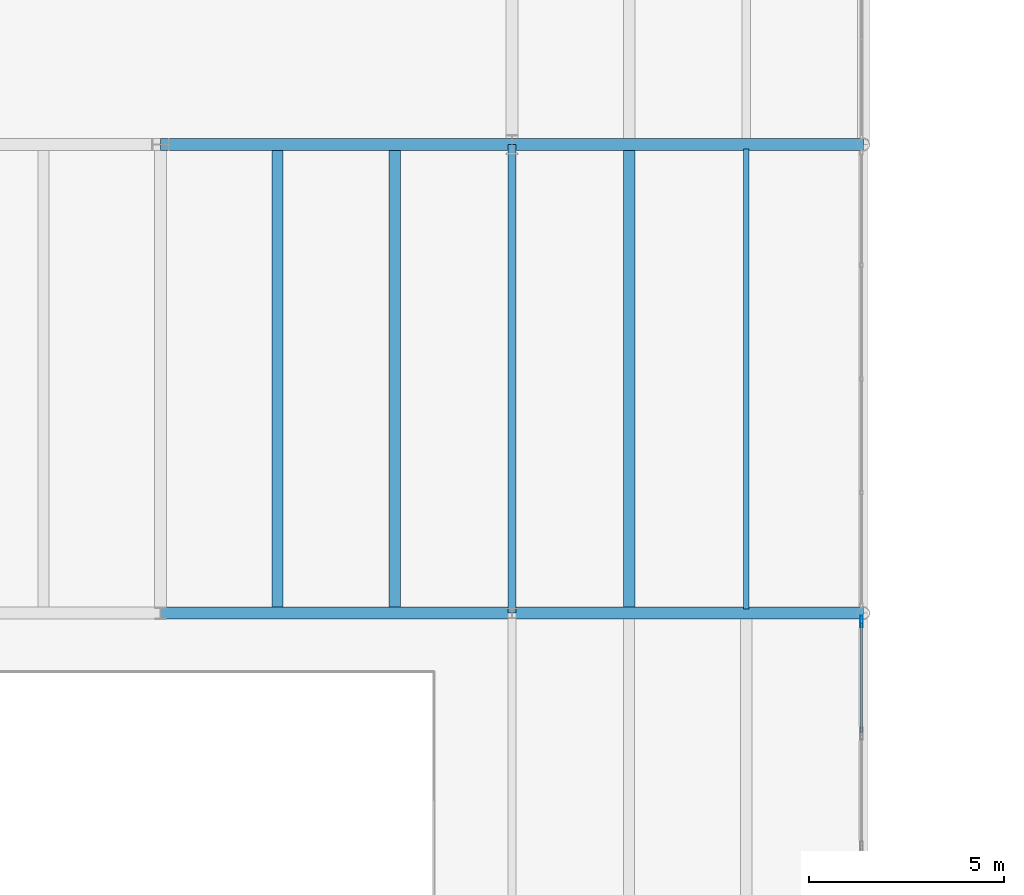
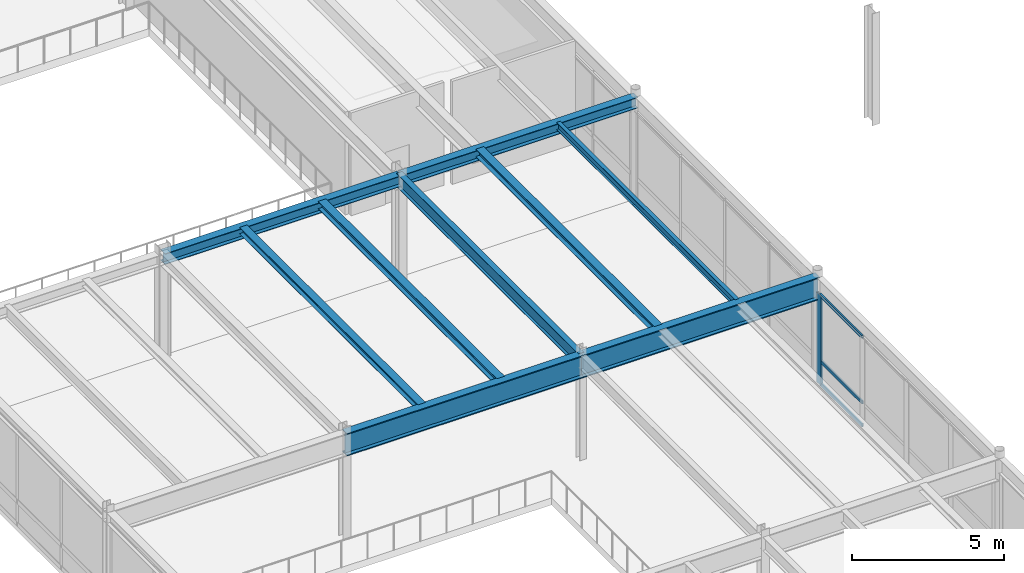
# One storey, part 64 of 127: 9 beams, 4 members, 1 element without a shape of its own.
"""IFC4 building model written with IfcOpenShell, lengths in metres."""

from ifc_helpers import new_model, si_unit, direction, frame, origin, origin_2d, place, context, subcontext, project, spatial, hollow_rectangle, i_section, extrude, material, layer, layer_set, material_profile, profile_set, type_object, element, aggregate, save


model = new_model("IFC4")

# Units and contexts
model_context = context("Model", 3, precision=1e-05, world=origin(), true_north=direction((0.0, 1.0)))
body_context = subcontext(model_context, "Body", "Model", "MODEL_VIEW")
ifc_project = project(units=[si_unit("LENGTHUNIT", "METRE"), si_unit("AREAUNIT", "SQUARE_METRE"), si_unit("VOLUMEUNIT", "CUBIC_METRE"), si_unit("PLANEANGLEUNIT", "RADIAN"), si_unit("MASSUNIT", "GRAM", prefix="KILO")], contexts=[model_context])

# Site, building, storey
site_placement = place(None, origin())
site = spatial("IfcSite", under=ifc_project, at=site_placement, CompositionType="ELEMENT")
building_placement = place(site_placement, origin())
building = spatial("IfcBuilding", under=site, at=building_placement, Name="Montelvaro Courts of Justice", CompositionType="ELEMENT")
storey_placement = place(building_placement, frame((0.0, 0.0, 5.39990234375)))
storey = spatial("IfcBuildingStorey", under=building, at=storey_placement, Name="L01", CompositionType="ELEMENT", Elevation=5.39990234375)

# Beams
ifc_material_1 = material(Name="Steel S355", Category="steel")
ifc_material_profile_1 = material_profile(ifc_material_1, i_section(OverallWidth=0.280029296875, OverallDepth=0.27001953125, WebThickness=0.008056640625, FlangeThickness=0.012939453125, at=origin_2d()), Name="HEA 280")
ifc_profile_set_1 = profile_set([ifc_material_profile_1], Name="Steel S355")
beam_type_1 = type_object("IfcBeamType", Name="Beam_HEA280", PredefinedType="BEAM", material=ifc_profile_set_1)
beam_1_placement = place(storey_placement, frame((66.0, 66.110107421875, 4.085205078125), z_axis=(0.0, 1.0, 0.0), x_axis=(-1.0, 0.0, 0.0)))
element("IfcBeam", 1, at=beam_1_placement, inside=storey, type_object=beam_type_1, Name="Beam B-14 L01", PredefinedType="BEAM", context=body_context, shape_type="SweptSolid", body=[
    extrude(i_section(OverallWidth=0.280029296875, OverallDepth=0.27001953125, WebThickness=0.008056640625, FlangeThickness=0.012939453125, at=origin_2d()), origin(), (0.0, 0.0, 1.0), 11.77978515625),
])
ifc_material_profile_2 = material_profile(ifc_material_1, i_section(OverallWidth=0.300048828125, OverallDepth=0.31005859375, WebThickness=0.009033203125, FlangeThickness=0.015380859375, at=origin_2d()), Name="HEA 320")
ifc_profile_set_2 = profile_set([ifc_material_profile_2], Name="Steel S355")
beam_type_2 = type_object("IfcBeamType", Name="Beam_HEA320", PredefinedType="BEAM", material=ifc_profile_set_2)
for number, where, z_axis, x_axis, name in (
    (2, (69.0, 66.110107421875, 4.065185546875), (0.0, 1.0, 0.0), (-1.0, 0.0, 0.0), "Beam B-15 L01"),
    (3, (75.0, 66.110107421875, 4.065185546875), (0.0, 1.0, 0.0), (-1.0, 0.0, 0.0), "Beam B-15 L01"),
):
    element("IfcBeam", number, at=place(storey_placement, frame(where, z_axis=z_axis, x_axis=x_axis)), inside=storey, type_object=beam_type_2, Name=name, PredefinedType="BEAM", context=body_context, shape_type="SweptSolid", body=[
        extrude(i_section(OverallWidth=0.300048828125, OverallDepth=0.31005859375, WebThickness=0.009033203125, FlangeThickness=0.015380859375, at=origin_2d()), origin(), (0.0, 0.0, 1.0), 11.77978515625),
    ])
ifc_material_profile_3 = material_profile(ifc_material_1, i_section(OverallWidth=0.300048828125, OverallDepth=0.43994140625, WebThickness=0.011474609375, FlangeThickness=0.02099609375, at=origin_2d()), Name="HEA 450")
ifc_profile_set_3 = profile_set([ifc_material_profile_3], Name="Steel S355")
beam_type_3 = type_object("IfcBeamType", Name="Beam_HEA450", PredefinedType="USERDEFINED", material=ifc_profile_set_3)
for number, where, z_axis, x_axis, name in (
    (4, (63.0, 78.0, 3.960205078125), (1.0, 0.0, 0.0), (0.0, 1.0, 0.0), "Beam B-18 L01"),
    (5, (72.0, 78.0, 3.960205078125), (1.0, 0.0, 0.0), (0.0, 1.0, 0.0), "Beam B-18 L01"),
):
    element("IfcBeam", number, at=place(storey_placement, frame(where, z_axis=z_axis, x_axis=x_axis)), inside=storey, type_object=beam_type_3, Name=name, ObjectType="GIRDER", PredefinedType="USERDEFINED", context=body_context, shape_type="SweptSolid", body=[
        extrude(i_section(OverallWidth=0.300048828125, OverallDepth=0.43994140625, WebThickness=0.011474609375, FlangeThickness=0.02099609375, at=origin_2d()), origin(), (0.0, 0.0, 1.0), 9.0),
    ])
ifc_material_profile_4 = material_profile(ifc_material_1, i_section(OverallWidth=0.302001953125, OverallDepth=0.909912109375, WebThickness=0.02099609375, FlangeThickness=0.0400390625, at=origin_2d()), Name="HEM 900")
ifc_profile_set_4 = profile_set([ifc_material_profile_4], Name="Steel S355")
beam_type_4 = type_object("IfcBeamType", Name="Beam_HEM900", PredefinedType="USERDEFINED", material=ifc_profile_set_4)
for number, where, z_axis, x_axis, name in (
    (6, (63.0, 66.0, 3.76513671875), (1.0, 0.0, 0.0), (0.0, 1.0, 0.0), "Beam B-31 L01"),
    (7, (72.0, 66.0, 3.76513671875), (1.0, 0.0, 0.0), (0.0, 1.0, 0.0), "Beam B-31 L01"),
):
    element("IfcBeam", number, at=place(storey_placement, frame(where, z_axis=z_axis, x_axis=x_axis)), inside=storey, type_object=beam_type_4, Name=name, ObjectType="GIRDER", PredefinedType="USERDEFINED", context=body_context, shape_type="SweptSolid", body=[
        extrude(i_section(OverallWidth=0.302001953125, OverallDepth=0.909912109375, WebThickness=0.02099609375, FlangeThickness=0.0400390625, at=origin_2d()), origin(), (0.0, 0.0, 1.0), 9.0),
    ])
ifc_material_profile_5 = material_profile(ifc_material_1, i_section(OverallWidth=0.14990234375, OverallDepth=0.300048828125, WebThickness=0.007080078125, FlangeThickness=0.0107421875, at=origin_2d()), Name="IPE 300")
ifc_profile_set_5 = profile_set([ifc_material_profile_5], Name="Steel S355")
beam_type_5 = type_object("IfcBeamType", Name="Beam_IPE300", PredefinedType="BEAM", material=ifc_profile_set_5)
beam_2_placement = place(storey_placement, frame((78.0, 66.110107421875, 4.070068359375), z_axis=(0.0, 1.0, 0.0), x_axis=(-1.0, 0.0, 0.0)))
element("IfcBeam", 8, at=beam_2_placement, inside=storey, type_object=beam_type_5, Name="Beam B-05 L01", PredefinedType="BEAM", context=body_context, shape_type="SweptSolid", body=[
    extrude(i_section(OverallWidth=0.14990234375, OverallDepth=0.300048828125, WebThickness=0.007080078125, FlangeThickness=0.0107421875, at=origin_2d()), origin(), (0.0, 0.0, 1.0), 11.77978515625),
])
ifc_material_profile_6 = material_profile(ifc_material_1, i_section(OverallWidth=0.2099609375, OverallDepth=0.550048828125, WebThickness=0.010986328125, FlangeThickness=0.01708984375, at=origin_2d()), Name="IPE 550")
ifc_profile_set_6 = profile_set([ifc_material_profile_6], Name="Steel S355")
beam_type_6 = type_object("IfcBeamType", Name="Beam_IPE550", PredefinedType="BEAM", material=ifc_profile_set_6)
beam_3_placement = place(storey_placement, frame((72.0, 66.0, 3.945068359375), z_axis=(0.0, 1.0, 0.0), x_axis=(-1.0, 0.0, 0.0)))
element("IfcBeam", 9, at=beam_3_placement, inside=storey, type_object=beam_type_6, Name="Beam B-11 L01", PredefinedType="BEAM", context=body_context, shape_type="SweptSolid", body=[
    extrude(i_section(OverallWidth=0.2099609375, OverallDepth=0.550048828125, WebThickness=0.010986328125, FlangeThickness=0.01708984375, at=origin_2d()), origin(), (0.0, 0.0, 1.0), 12.0),
])

# Curtain wall, members
ifc_material_2 = material(Name="Anodised aluminium EN AW-6063", Category="aluminium")
ifc_layer = layer(ifc_material_2, 0.159912109375)
ifc_layer_set = layer_set([ifc_layer], Name="Anodised aluminium EN AW-6063")
curtain_wall_type = type_object("IfcCurtainWallType", Name="CurtainWall_16_1165x418", PredefinedType="USERDEFINED", material=ifc_layer_set)
curtain_wall_placement = place(storey_placement, origin())
curtain_wall = element("IfcCurtainWall", 10, at=curtain_wall_placement, inside=storey, type_object=curtain_wall_type, Name="Curtain Wall CW-16 (L01)", ObjectType="CURTAIN WALL", PredefinedType="USERDEFINED")
ifc_material_profile_7 = material_profile(ifc_material_2, hollow_rectangle(XDim=0.074951171875, YDim=0.300048828125, WallThickness=0.006103515625, at=origin_2d()), Name="ALU-M 75x300")
ifc_profile_set_7 = profile_set([ifc_material_profile_7], Name="Anodised aluminium EN AW-6063")
member_type_1 = type_object("IfcMemberType", Name="CurtainWall_Mullion_75x300", PredefinedType="MULLION", material=ifc_profile_set_7)
member_1_placement = place(storey_placement, frame((80.949951171875, 65.785400390625, 0.0), z_axis=(0.0, 0.0, 1.0), x_axis=(-1.0, 0.0, 0.0)))
member_1 = element("IfcMember", 11, at=member_1_placement, type_object=member_type_1, Name="CW-16 mullion 5", PredefinedType="MULLION", context=body_context, shape_type="SweptSolid", body=[
    extrude(hollow_rectangle(XDim=0.074951171875, YDim=0.300048828125, WallThickness=0.006103515625, at=origin_2d()), origin(), (0.0, 0.0, 1.0), 3.614990234375),
])
ifc_material_profile_8 = material_profile(ifc_material_2, hollow_rectangle(XDim=0.06005859375, YDim=0.1298828125, WallThickness=0.00390625, at=origin_2d()), Name="ALU-T 60x130")
ifc_profile_set_8 = profile_set([ifc_material_profile_8], Name="Anodised aluminium EN AW-6063")
member_type_2 = type_object("IfcMemberType", Name="CurtainWall_Transom_60x130", PredefinedType="USERDEFINED", material=ifc_profile_set_8)
member_2_placement = place(storey_placement, frame((80.949951171875, 62.948974609375, 0.030029296875), z_axis=(0.0, 1.0, 0.0), x_axis=(-1.0, 0.0, 0.0)))
member_2 = element("IfcMember", 12, at=member_2_placement, type_object=member_type_2, Name="CW-16 transom 4.1", ObjectType="TRANSOM", PredefinedType="USERDEFINED", context=body_context, shape_type="SweptSolid", body=[
    extrude(hollow_rectangle(XDim=0.06005859375, YDim=0.1298828125, WallThickness=0.00390625, at=origin_2d()), origin(), (0.0, 0.0, 1.0), 2.799072265625),
])
member_3_placement = place(storey_placement, frame((80.949951171875, 62.948974609375, 0.9501953125), z_axis=(0.0, 1.0, 0.0), x_axis=(-1.0, 0.0, 0.0)))
member_3 = element("IfcMember", 13, at=member_3_placement, type_object=member_type_2, Name="CW-16 transom 4.2", ObjectType="TRANSOM", PredefinedType="USERDEFINED", context=body_context, shape_type="SweptSolid", body=[
    extrude(hollow_rectangle(XDim=0.06005859375, YDim=0.1298828125, WallThickness=0.00390625, at=origin_2d()), origin(), (0.0, 0.0, 1.0), 2.799072265625),
])
member_4_placement = place(storey_placement, frame((80.949951171875, 62.948974609375, 3.585205078125), z_axis=(0.0, 1.0, 0.0), x_axis=(-1.0, 0.0, 0.0)))
member_4 = element("IfcMember", 14, at=member_4_placement, type_object=member_type_2, Name="CW-16 transom 4.3", ObjectType="TRANSOM", PredefinedType="USERDEFINED", context=body_context, shape_type="SweptSolid", body=[
    extrude(hollow_rectangle(XDim=0.06005859375, YDim=0.1298828125, WallThickness=0.00390625, at=origin_2d()), origin(), (0.0, 0.0, 1.0), 2.799072265625),
])
aggregate(curtain_wall, [member_1, member_2, member_3, member_4])

save(model, "model.ifc")
